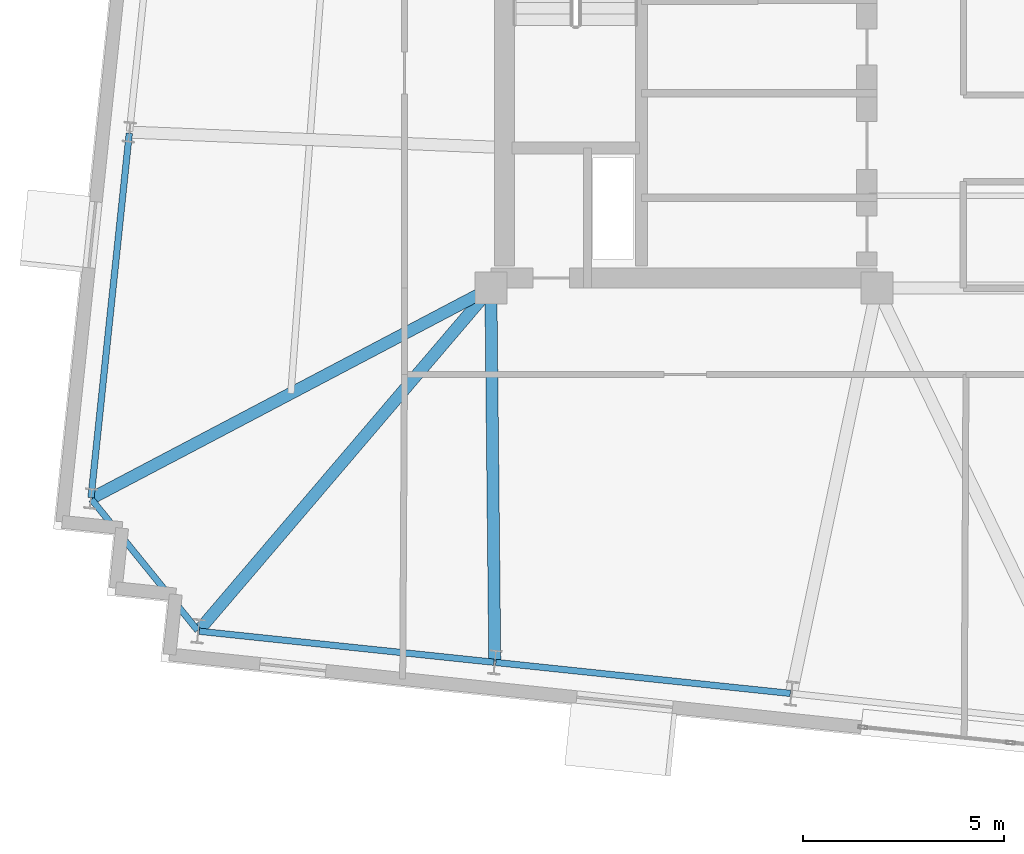
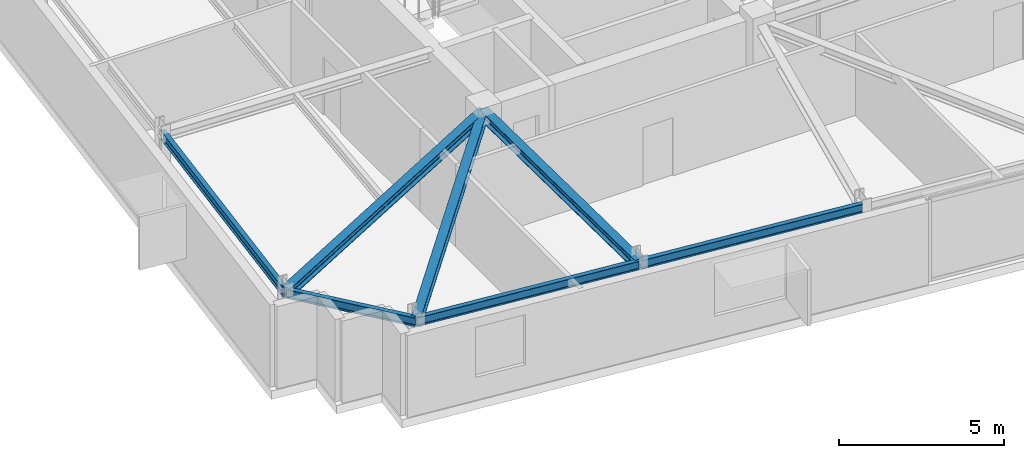
# One storey, part 4 of 13: 7 beams.
"""IFC4 building model written with IfcOpenShell, lengths in metres."""

from ifc_helpers import new_model, si_unit, direction, frame, origin, origin_2d, place, context, subcontext, project, spatial, i_section, extrude, material, material_profile, profile_set, type_object, element, save


model = new_model("IFC4")

# Units and contexts
model_context = context("Model", 3, precision=1e-05, world=origin(), true_north=direction((0.0, 1.0)))
body_context = subcontext(model_context, "Body", "Model", "MODEL_VIEW")
ifc_project = project(units=[si_unit("LENGTHUNIT", "METRE"), si_unit("AREAUNIT", "SQUARE_METRE"), si_unit("VOLUMEUNIT", "CUBIC_METRE"), si_unit("PLANEANGLEUNIT", "RADIAN"), si_unit("MASSUNIT", "GRAM", prefix="KILO")], contexts=[model_context])

# Site, building, storey
site_placement = place(None, origin())
site = spatial("IfcSite", under=ifc_project, at=site_placement, CompositionType="ELEMENT")
building_placement = place(site_placement, origin())
building = spatial("IfcBuilding", under=site, at=building_placement, Name="Qobustan Lattice House", CompositionType="ELEMENT")
storey_placement = place(building_placement, frame((0.0, 0.0, 199.75)))
storey = spatial("IfcBuildingStorey", under=building, at=storey_placement, Name="L56", CompositionType="ELEMENT", Elevation=199.75)

# Beams
ifc_material_1 = material(Name="Steel S355", Category="steel")
ifc_material_profile_1 = material_profile(ifc_material_1, i_section(OverallWidth=0.300048828125, OverallDepth=0.360107421875, WebThickness=0.012451171875, FlangeThickness=0.0224609375, FilletRadius=0.027099609375, at=origin_2d()), Name="HEB360")
ifc_profile_set_1 = profile_set([ifc_material_profile_1], Name="Steel S355")
beam_type_1 = type_object("IfcBeamType", Name="BM-FLG-HEB360", PredefinedType="USERDEFINED", material=ifc_profile_set_1)
beam_1_placement = place(storey_placement, frame((-26.062744140625, -14.113525390625, 2.860107421875), z_axis=(0.649006911642, 0.760782510736, 0.0), x_axis=(-0.760782510736, 0.649006911642, 0.0)))
element("IfcBeam", 1, at=beam_1_placement, inside=storey, type_object=beam_type_1, Name="L56 primary floor girder RAD-S1W", ObjectType="GIRDER", PredefinedType="USERDEFINED", context=body_context, shape_type="SweptSolid", body=[
    extrude(i_section(OverallWidth=0.300048828125, OverallDepth=0.360107421875, WebThickness=0.012451171875, FlangeThickness=0.0224609375, FilletRadius=0.027099609375, at=origin_2d()), origin(), (0.0, 0.0, 1.0), 11.16552734375),
])
beam_2_placement = place(storey_placement, frame((-18.703125, -14.8828125, 2.860107421875), z_axis=(-0.010442468578, 0.999945475939, 0.0), x_axis=(-0.999945475939, -0.010442468578, 0.0)))
element("IfcBeam", 2, at=beam_2_placement, inside=storey, type_object=beam_type_1, Name="L56 primary floor girder RAD-S2", ObjectType="GIRDER", PredefinedType="USERDEFINED", context=body_context, shape_type="SweptSolid", body=[
    extrude(i_section(OverallWidth=0.300048828125, OverallDepth=0.360107421875, WebThickness=0.012451171875, FlangeThickness=0.0224609375, FilletRadius=0.027099609375, at=origin_2d()), origin(), (0.0, 0.0, 1.0), 9.25830078125),
])
beam_3_placement = place(storey_placement, frame((-28.726806640625, -10.82373046875, 2.860107421875), z_axis=(0.884950868639, 0.465684399669, 0.0), x_axis=(-0.465684399669, 0.884950868639, 0.0)))
element("IfcBeam", 3, at=beam_3_placement, inside=storey, type_object=beam_type_1, Name="L56 primary floor girder RAD-W4", ObjectType="GIRDER", PredefinedType="USERDEFINED", context=body_context, shape_type="SweptSolid", body=[
    extrude(i_section(OverallWidth=0.300048828125, OverallDepth=0.360107421875, WebThickness=0.012451171875, FlangeThickness=0.0224609375, FilletRadius=0.027099609375, at=origin_2d()), origin(), (0.0, 0.0, 1.0), 11.1923828125),
])
ifc_material_2 = material(Name="Steel S355", Category="steel")
ifc_material_profile_2 = material_profile(ifc_material_2, i_section(OverallWidth=0.159912109375, OverallDepth=0.330078125, WebThickness=0.007568359375, FlangeThickness=0.011474609375, FilletRadius=0.01806640625, at=origin_2d()), Name="IPE330")
ifc_profile_set_2 = profile_set([ifc_material_profile_2], Name="Steel S355")
beam_type_2 = type_object("IfcBeamType", Name="BM-SPD-IPE330", PredefinedType="SPANDREL", material=ifc_profile_set_2)
beam_4_placement = place(storey_placement, frame((-26.05419921875, -14.135009765625, 2.875), z_axis=(0.99452214685, -0.104526070551, 0.0), x_axis=(0.104526070551, 0.99452214685, 0.0)))
element("IfcBeam", 4, at=beam_4_placement, inside=storey, type_object=beam_type_2, Name="L56 perimeter spandrel S1-S2", PredefinedType="SPANDREL", context=body_context, shape_type="SweptSolid", body=[
    extrude(i_section(OverallWidth=0.159912109375, OverallDepth=0.330078125, WebThickness=0.007568359375, FlangeThickness=0.011474609375, FilletRadius=0.01806640625, at=origin_2d()), origin(), (0.0, 0.0, 1.0), 7.36669921875),
])
beam_5_placement = place(storey_placement, frame((-18.677978515625, -14.910400390625, 2.875), z_axis=(0.994521784746, -0.104529515765, 0.0), x_axis=(0.104529515765, 0.994521784746, 0.0)))
element("IfcBeam", 5, at=beam_5_placement, inside=storey, type_object=beam_type_2, Name="L56 perimeter spandrel S2-S3", PredefinedType="SPANDREL", context=body_context, shape_type="SweptSolid", body=[
    extrude(i_section(OverallWidth=0.159912109375, OverallDepth=0.330078125, WebThickness=0.007568359375, FlangeThickness=0.011474609375, FilletRadius=0.01806640625, at=origin_2d()), origin(), (0.0, 0.0, 1.0), 7.366455078125),
])
beam_6_placement = place(storey_placement, frame((-27.79345703125, -1.743896484375, 2.875), z_axis=(-0.104524466745, -0.994522315412, 0.0), x_axis=(0.994522315412, -0.104524466745, 0.0)))
element("IfcBeam", 6, at=beam_6_placement, inside=storey, type_object=beam_type_2, Name="L56 perimeter spandrel W3-W4", PredefinedType="SPANDREL", context=body_context, shape_type="SweptSolid", body=[
    extrude(i_section(OverallWidth=0.159912109375, OverallDepth=0.330078125, WebThickness=0.007568359375, FlangeThickness=0.011474609375, FilletRadius=0.01806640625, at=origin_2d()), origin(), (0.0, 0.0, 1.0), 9.116455078125),
])
beam_7_placement = place(storey_placement, frame((-28.733154296875, -10.854736328125, 2.875), z_axis=(0.629307107299, -0.777156718239, 0.0), x_axis=(0.777156718239, 0.629307107299, 0.0)))
element("IfcBeam", 7, at=beam_7_placement, inside=storey, type_object=beam_type_2, Name="L56 perimeter spandrel W4-S1", PredefinedType="SPANDREL", context=body_context, shape_type="SweptSolid", body=[
    extrude(i_section(OverallWidth=0.159912109375, OverallDepth=0.330078125, WebThickness=0.007568359375, FlangeThickness=0.011474609375, FilletRadius=0.01806640625, at=origin_2d()), origin(), (0.0, 0.0, 1.0), 4.192626953125),
])

save(model, "model.ifc")
